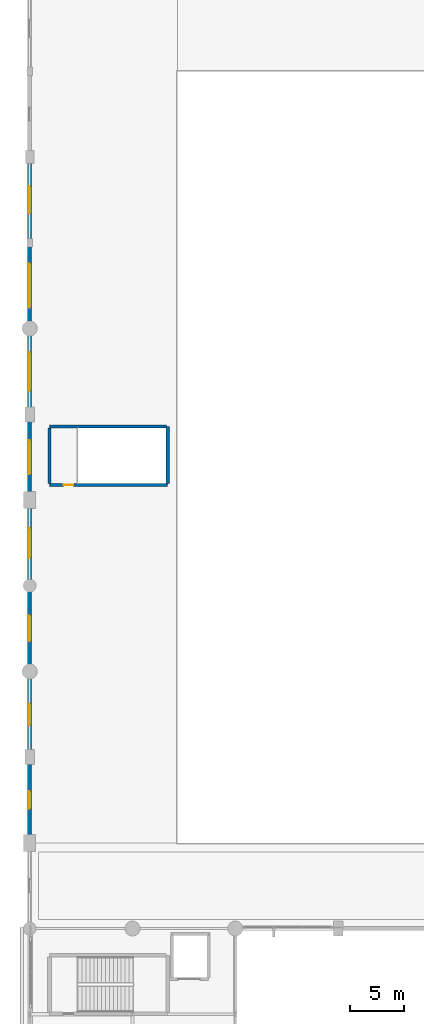
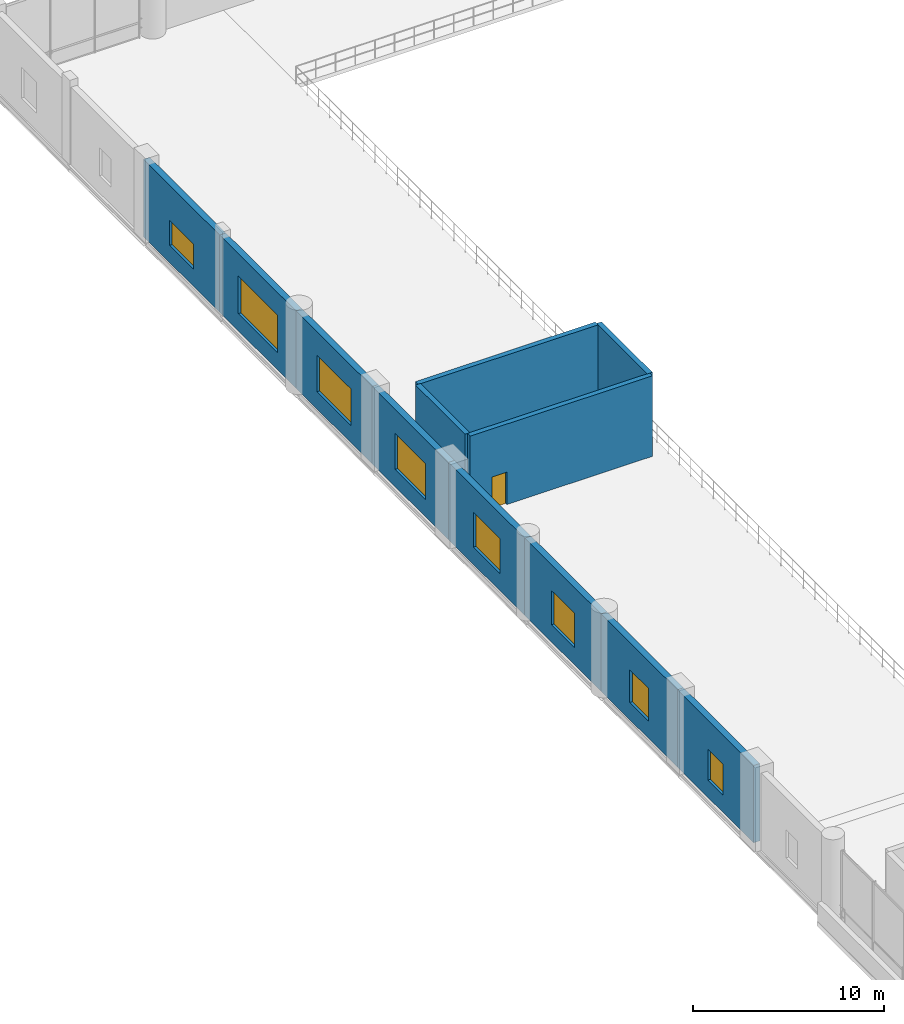
# One storey, part 79 of 129: 12 walls, 8 windows, 1 door, 9 openings.
"""IFC4 building model written with IfcOpenShell, lengths in metres."""

from ifc_helpers import new_model, si_unit, direction, frame, frame_2d, origin, place, context, subcontext, project, spatial, rectangle, extrude, material, layer, layer_set, type_object, element, fill, save


model = new_model("IFC4")

# Units and contexts
model_context = context("Model", 3, precision=1e-05, world=origin(), true_north=direction((0.0, 1.0)))
body_context = subcontext(model_context, "Body", "Model", "MODEL_VIEW")
ifc_project = project(units=[si_unit("LENGTHUNIT", "METRE"), si_unit("AREAUNIT", "SQUARE_METRE"), si_unit("VOLUMEUNIT", "CUBIC_METRE"), si_unit("PLANEANGLEUNIT", "RADIAN"), si_unit("MASSUNIT", "GRAM", prefix="KILO")], contexts=[model_context])

# Site, building, storey
site_placement = place(None, origin())
site = spatial("IfcSite", under=ifc_project, at=site_placement, CompositionType="ELEMENT")
building_placement = place(site_placement, origin())
building = spatial("IfcBuilding", under=site, at=building_placement, Name="Danafjord Basin Convention Centre", CompositionType="ELEMENT")
storey_placement = place(building_placement, frame((0.0, 0.0, 6.0)))
storey = spatial("IfcBuildingStorey", under=building, at=storey_placement, Name="L01", CompositionType="ELEMENT", Elevation=6.0)

# Wall, opening, door
ifc_material_1 = material(Name="Concrete C40/50", Category="concrete")
ifc_layer_1 = layer(ifc_material_1, 0.300048828125)
ifc_layer_set_1 = layer_set([ifc_layer_1], Name="Concrete C40/50")
wall_type_1 = type_object("IfcWallType", Name="WALL-CW-CORE300", PredefinedType="SHEAR", material=ifc_layer_set_1)
wall_1_placement = place(storey_placement, frame((1.85009765625, 97.39990234375, 0.0), z_axis=(0.0, 0.0, 1.0), x_axis=(1.0, 0.0, 0.0)))
wall_1 = element("IfcWall", 1, at=wall_1_placement, inside=storey, type_object=wall_type_1, Name="West Exhibition Perimeter Stair core shear wall (south)", PredefinedType="SHEAR", context=body_context, shape_type="SweptSolid", body=[
    extrude(rectangle(XDim=11.039794921875, YDim=0.300048828125, at=frame_2d((5.52001953125, 0.0))), origin(), (0.0, 0.0, 1.0), 5.155029296875),
])
opening_1_placement = place(wall_1_placement, frame((1.31201171875, 0.0, 0.0)))
opening_1 = element("IfcOpeningElement", 2, at=opening_1_placement, cuts=wall_1, Name="Opening FD-S01", PredefinedType="OPENING", context=body_context, shape_type="SweptSolid", body=[
    extrude(rectangle(XDim=0.909912109375, YDim=2.080078125, at=frame_2d((0.455078125, 1.0400390625))), frame((0.0, 0.159912109375, 0.0), z_axis=(0.0, -1.0, 0.0), x_axis=(1.0, 0.0, 0.0)), (0.0, 0.0, 1.0), 0.320068359375),
])
ifc_material_2 = material(Name="Powder-coated steel and Nordic oak", Category="steel")
door_type = type_object("IfcDoorType", Name="DOOR-FD-S01", OperationType="NOTDEFINED", PredefinedType="DOOR", material=ifc_material_2)
door_placement = place(opening_1_placement, origin())
door = element("IfcDoor", 3, at=door_placement, inside=storey, type_object=door_type, Name="West Exhibition Perimeter Stair L01 Fire Exit Door", OperationType="SINGLE_SWING_LEFT", OverallHeight=2.080078125, OverallWidth=0.909912109375, PredefinedType="DOOR", context=body_context, shape_type="SweptSolid", body=[
    extrude(rectangle(XDim=0.909912109375, YDim=2.080078125, at=frame_2d((0.455078125, 1.0400390625))), frame((0.0, 0.02490234375, 0.0), z_axis=(0.0, -1.0, 0.0), x_axis=(1.0, 0.0, 0.0)), (0.0, 0.0, 1.0), 0.050048828125),
])
fill(opening_1, door)

# Walls
wall_2_placement = place(storey_placement, frame((12.889892578125, 97.534912109375, 0.0), z_axis=(0.0, 0.0, 1.0), x_axis=(0.0, 1.0, 0.0)))
element("IfcWall", 4, at=wall_2_placement, inside=storey, type_object=wall_type_1, Name="West Exhibition Perimeter Stair core shear wall (east)", PredefinedType="SHEAR", context=body_context, shape_type="SweptSolid", body=[
    extrude(rectangle(XDim=5.3251953125, YDim=0.300048828125, at=frame_2d((2.66259765625, 0.0))), origin(), (0.0, 0.0, 1.0), 5.155029296875),
])
wall_3_placement = place(storey_placement, frame((12.7548828125, 102.860107421875, 0.0), z_axis=(0.0, 0.0, 1.0), x_axis=(-1.0, 0.0, 0.0)))
element("IfcWall", 5, at=wall_3_placement, inside=storey, type_object=wall_type_1, Name="West Exhibition Perimeter Stair core shear wall (north)", PredefinedType="SHEAR", context=body_context, shape_type="SweptSolid", body=[
    extrude(rectangle(XDim=10.90478515625, YDim=0.300048828125, at=frame_2d((5.452392578125, 0.0))), origin(), (0.0, 0.0, 1.0), 5.155029296875),
])
wall_4_placement = place(storey_placement, frame((1.85009765625, 102.72509765625, 0.0), z_axis=(0.0, 0.0, 1.0), x_axis=(0.0, -1.0, 0.0)))
element("IfcWall", 6, at=wall_4_placement, inside=storey, type_object=wall_type_1, Name="West Exhibition Perimeter Stair core shear wall (west)", PredefinedType="SHEAR", context=body_context, shape_type="SweptSolid", body=[
    extrude(rectangle(XDim=5.190185546875, YDim=0.300048828125, at=frame_2d((2.59521484375, 0.0))), origin(), (0.0, 0.0, 1.0), 5.155029296875),
])

# Wall, opening, window
ifc_material_3 = material(Name="Precast concrete C45/55", Category="concrete")
ifc_layer_2 = layer(ifc_material_3, 0.3798828125)
ifc_layer_set_2 = layer_set([ifc_layer_2], Name="Precast concrete C45/55")
wall_type_2 = type_object("IfcWallType", Name="WALL-EW-PC380", PredefinedType="SOLIDWALL", material=ifc_layer_set_2)
wall_5_placement = place(storey_placement, frame((0.0, 64.0, 0.0), z_axis=(0.0, 0.0, 1.0), x_axis=(0.0, 1.0, 0.0)))
wall_5 = element("IfcWall", 7, at=wall_5_placement, inside=storey, type_object=wall_type_2, Name="Exhibition hall W upper precast wall", PredefinedType="SOLIDWALL", context=body_context, shape_type="SweptSolid", body=[
    extrude(rectangle(XDim=8.0, YDim=0.3798828125, at=frame_2d((4.0, 0.0))), origin(), (0.0, 0.0, 1.0), 4.949951171875),
])
opening_2_placement = place(wall_5_placement, frame((3.199951171875, 0.0, 1.10009765625)))
opening_2 = element("IfcOpeningElement", 8, at=opening_2_placement, cuts=wall_5, Name="Opening WN-03", PredefinedType="OPENING", context=body_context, shape_type="SweptSolid", body=[
    extrude(rectangle(XDim=1.60009765625, YDim=2.0, at=frame_2d((0.800048828125, 1.0))), frame((0.0, 0.199951171875, 0.0), z_axis=(0.0, -1.0, 0.0), x_axis=(1.0, 0.0, 0.0)), (0.0, 0.0, 1.0), 0.39990234375),
])
ifc_material_4 = material(Name="Thermally broken aluminium and triple low-E glass", Category="aluminium")
window_type_1 = type_object("IfcWindowType", Name="WIN-WN-03", PartitioningType="SINGLE_PANEL", PredefinedType="WINDOW", material=ifc_material_4)
window_1_placement = place(opening_2_placement, origin())
window_1 = element("IfcWindow", 9, at=window_1_placement, inside=storey, type_object=window_type_1, Name="L01 hall window WN-03", OverallHeight=2.0, OverallWidth=1.60009765625, PartitioningType="SINGLE_PANEL", PredefinedType="WINDOW", context=body_context, shape_type="SweptSolid", body=[
    extrude(rectangle(XDim=1.60009765625, YDim=2.0, at=frame_2d((0.800048828125, 1.0))), frame((0.0, 0.030029296875, 0.0), z_axis=(0.0, -1.0, 0.0), x_axis=(1.0, 0.0, 0.0)), (0.0, 0.0, 1.0), 0.06005859375),
])
fill(opening_2, window_1)

wall_6_placement = place(storey_placement, frame((0.0, 72.0, 0.0), z_axis=(0.0, 0.0, 1.0), x_axis=(0.0, 1.0, 0.0)))
wall_6 = element("IfcWall", 10, at=wall_6_placement, inside=storey, type_object=wall_type_2, Name="Exhibition hall W upper precast wall", PredefinedType="SOLIDWALL", context=body_context, shape_type="SweptSolid", body=[
    extrude(rectangle(XDim=8.0, YDim=0.3798828125, at=frame_2d((4.0, 0.0))), origin(), (0.0, 0.0, 1.0), 4.949951171875),
])
opening_3_placement = place(wall_6_placement, frame((3.0, 0.0, 1.10009765625)))
opening_3 = element("IfcOpeningElement", 11, at=opening_3_placement, cuts=wall_6, Name="Opening WN-05", PredefinedType="OPENING", context=body_context, shape_type="SweptSolid", body=[
    extrude(rectangle(XDim=2.0, YDim=2.10009765625, at=frame_2d((1.0, 1.050048828125))), frame((0.0, 0.199951171875, 0.0), z_axis=(0.0, -1.0, 0.0), x_axis=(1.0, 0.0, 0.0)), (0.0, 0.0, 1.0), 0.39990234375),
])
window_type_2 = type_object("IfcWindowType", Name="WIN-WN-05", PartitioningType="SINGLE_PANEL", PredefinedType="WINDOW", material=ifc_material_4)
window_2_placement = place(opening_3_placement, origin())
window_2 = element("IfcWindow", 12, at=window_2_placement, inside=storey, type_object=window_type_2, Name="L01 hall window WN-05", OverallHeight=2.10009765625, OverallWidth=2.0, PartitioningType="SINGLE_PANEL", PredefinedType="WINDOW", context=body_context, shape_type="SweptSolid", body=[
    extrude(rectangle(XDim=2.0, YDim=2.10009765625, at=frame_2d((1.0, 1.050048828125))), frame((0.0, 0.030029296875, 0.0), z_axis=(0.0, -1.0, 0.0), x_axis=(1.0, 0.0, 0.0)), (0.0, 0.0, 1.0), 0.06005859375),
])
fill(opening_3, window_2)

wall_7_placement = place(storey_placement, frame((0.0, 80.0, 0.0), z_axis=(0.0, 0.0, 1.0), x_axis=(0.0, 1.0, 0.0)))
wall_7 = element("IfcWall", 13, at=wall_7_placement, inside=storey, type_object=wall_type_2, Name="Exhibition hall W upper precast wall", PredefinedType="SOLIDWALL", context=body_context, shape_type="SweptSolid", body=[
    extrude(rectangle(XDim=8.0, YDim=0.3798828125, at=frame_2d((4.0, 0.0))), origin(), (0.0, 0.0, 1.0), 4.949951171875),
])
opening_4_placement = place(wall_7_placement, frame((2.800048828125, 0.0, 1.10009765625)))
opening_4 = element("IfcOpeningElement", 14, at=opening_4_placement, cuts=wall_7, Name="Opening WN-07", PredefinedType="OPENING", context=body_context, shape_type="SweptSolid", body=[
    extrude(rectangle(XDim=2.39990234375, YDim=2.199951171875, at=frame_2d((1.199951171875, 1.10009765625))), frame((0.0, 0.199951171875, 0.0), z_axis=(0.0, -1.0, 0.0), x_axis=(1.0, 0.0, 0.0)), (0.0, 0.0, 1.0), 0.39990234375),
])
window_type_3 = type_object("IfcWindowType", Name="WIN-WN-07", PartitioningType="SINGLE_PANEL", PredefinedType="WINDOW", material=ifc_material_4)
window_3_placement = place(opening_4_placement, origin())
window_3 = element("IfcWindow", 15, at=window_3_placement, inside=storey, type_object=window_type_3, Name="L01 hall window WN-07", OverallHeight=2.199951171875, OverallWidth=2.39990234375, PartitioningType="SINGLE_PANEL", PredefinedType="WINDOW", context=body_context, shape_type="SweptSolid", body=[
    extrude(rectangle(XDim=2.39990234375, YDim=2.199951171875, at=frame_2d((1.199951171875, 1.10009765625))), frame((0.0, 0.030029296875, 0.0), z_axis=(0.0, -1.0, 0.0), x_axis=(1.0, 0.0, 0.0)), (0.0, 0.0, 1.0), 0.06005859375),
])
fill(opening_4, window_3)

wall_8_placement = place(storey_placement, frame((0.0, 88.0, 0.0), z_axis=(0.0, 0.0, 1.0), x_axis=(0.0, 1.0, 0.0)))
wall_8 = element("IfcWall", 16, at=wall_8_placement, inside=storey, type_object=wall_type_2, Name="Exhibition hall W upper precast wall", PredefinedType="SOLIDWALL", context=body_context, shape_type="SweptSolid", body=[
    extrude(rectangle(XDim=8.0, YDim=0.3798828125, at=frame_2d((4.0, 0.0))), origin(), (0.0, 0.0, 1.0), 4.949951171875),
])
opening_5_placement = place(wall_8_placement, frame((2.60009765625, 0.0, 1.10009765625)))
opening_5 = element("IfcOpeningElement", 17, at=opening_5_placement, cuts=wall_8, Name="Opening WN-09", PredefinedType="OPENING", context=body_context, shape_type="SweptSolid", body=[
    extrude(rectangle(XDim=2.800048828125, YDim=2.25, at=frame_2d((1.39990234375, 1.125))), frame((0.0, 0.199951171875, 0.0), z_axis=(0.0, -1.0, 0.0), x_axis=(1.0, 0.0, 0.0)), (0.0, 0.0, 1.0), 0.39990234375),
])
window_type_4 = type_object("IfcWindowType", Name="WIN-WN-09", PartitioningType="SINGLE_PANEL", PredefinedType="WINDOW", material=ifc_material_4)
window_4_placement = place(opening_5_placement, origin())
window_4 = element("IfcWindow", 18, at=window_4_placement, inside=storey, type_object=window_type_4, Name="L01 hall window WN-09", OverallHeight=2.25, OverallWidth=2.800048828125, PartitioningType="SINGLE_PANEL", PredefinedType="WINDOW", context=body_context, shape_type="SweptSolid", body=[
    extrude(rectangle(XDim=2.800048828125, YDim=2.25, at=frame_2d((1.39990234375, 1.125))), frame((0.0, 0.030029296875, 0.0), z_axis=(0.0, -1.0, 0.0), x_axis=(1.0, 0.0, 0.0)), (0.0, 0.0, 1.0), 0.06005859375),
])
fill(opening_5, window_4)

wall_9_placement = place(storey_placement, frame((0.0, 96.0, 0.0), z_axis=(0.0, 0.0, 1.0), x_axis=(0.0, 1.0, 0.0)))
wall_9 = element("IfcWall", 19, at=wall_9_placement, inside=storey, type_object=wall_type_2, Name="Exhibition hall W upper precast wall", PredefinedType="SOLIDWALL", context=body_context, shape_type="SweptSolid", body=[
    extrude(rectangle(XDim=8.0, YDim=0.3798828125, at=frame_2d((4.0, 0.0))), origin(), (0.0, 0.0, 1.0), 4.949951171875),
])
opening_6_placement = place(wall_9_placement, frame((2.39990234375, 0.0, 1.10009765625)))
opening_6 = element("IfcOpeningElement", 20, at=opening_6_placement, cuts=wall_9, Name="Opening WN-11", PredefinedType="OPENING", context=body_context, shape_type="SweptSolid", body=[
    extrude(rectangle(XDim=3.199951171875, YDim=2.300048828125, at=frame_2d((1.60009765625, 1.14990234375))), frame((0.0, 0.199951171875, 0.0), z_axis=(0.0, -1.0, 0.0), x_axis=(1.0, 0.0, 0.0)), (0.0, 0.0, 1.0), 0.39990234375),
])
window_type_5 = type_object("IfcWindowType", Name="WIN-WN-11", PartitioningType="SINGLE_PANEL", PredefinedType="WINDOW", material=ifc_material_4)
window_5_placement = place(opening_6_placement, origin())
window_5 = element("IfcWindow", 21, at=window_5_placement, inside=storey, type_object=window_type_5, Name="L01 hall window WN-11", OverallHeight=2.300048828125, OverallWidth=3.199951171875, PartitioningType="SINGLE_PANEL", PredefinedType="WINDOW", context=body_context, shape_type="SweptSolid", body=[
    extrude(rectangle(XDim=3.199951171875, YDim=2.300048828125, at=frame_2d((1.60009765625, 1.14990234375))), frame((0.0, 0.030029296875, 0.0), z_axis=(0.0, -1.0, 0.0), x_axis=(1.0, 0.0, 0.0)), (0.0, 0.0, 1.0), 0.06005859375),
])
fill(opening_6, window_5)

wall_10_placement = place(storey_placement, frame((0.0, 104.0, 0.0), z_axis=(0.0, 0.0, 1.0), x_axis=(0.0, 1.0, 0.0)))
wall_10 = element("IfcWall", 22, at=wall_10_placement, inside=storey, type_object=wall_type_2, Name="Exhibition hall W upper precast wall", PredefinedType="SOLIDWALL", context=body_context, shape_type="SweptSolid", body=[
    extrude(rectangle(XDim=8.0, YDim=0.3798828125, at=frame_2d((4.0, 0.0))), origin(), (0.0, 0.0, 1.0), 4.949951171875),
])
opening_7_placement = place(wall_10_placement, frame((2.199951171875, 0.0, 1.10009765625)))
opening_7 = element("IfcOpeningElement", 23, at=opening_7_placement, cuts=wall_10, Name="Opening WN-13", PredefinedType="OPENING", context=body_context, shape_type="SweptSolid", body=[
    extrude(rectangle(XDim=3.60009765625, YDim=2.35009765625, at=frame_2d((1.800048828125, 1.175048828125))), frame((0.0, 0.199951171875, 0.0), z_axis=(0.0, -1.0, 0.0), x_axis=(1.0, 0.0, 0.0)), (0.0, 0.0, 1.0), 0.39990234375),
])
window_type_6 = type_object("IfcWindowType", Name="WIN-WN-13", PartitioningType="SINGLE_PANEL", PredefinedType="WINDOW", material=ifc_material_4)
window_6_placement = place(opening_7_placement, origin())
window_6 = element("IfcWindow", 24, at=window_6_placement, inside=storey, type_object=window_type_6, Name="L01 hall window WN-13", OverallHeight=2.35009765625, OverallWidth=3.60009765625, PartitioningType="SINGLE_PANEL", PredefinedType="WINDOW", context=body_context, shape_type="SweptSolid", body=[
    extrude(rectangle(XDim=3.60009765625, YDim=2.35009765625, at=frame_2d((1.800048828125, 1.175048828125))), frame((0.0, 0.030029296875, 0.0), z_axis=(0.0, -1.0, 0.0), x_axis=(1.0, 0.0, 0.0)), (0.0, 0.0, 1.0), 0.06005859375),
])
fill(opening_7, window_6)

wall_11_placement = place(storey_placement, frame((0.0, 112.0, 0.0), z_axis=(0.0, 0.0, 1.0), x_axis=(0.0, 1.0, 0.0)))
wall_11 = element("IfcWall", 25, at=wall_11_placement, inside=storey, type_object=wall_type_2, Name="Exhibition hall W upper precast wall", PredefinedType="SOLIDWALL", context=body_context, shape_type="SweptSolid", body=[
    extrude(rectangle(XDim=8.0, YDim=0.3798828125, at=frame_2d((4.0, 0.0))), origin(), (0.0, 0.0, 1.0), 4.949951171875),
])
opening_8_placement = place(wall_11_placement, frame((1.949951171875, 0.0, 1.10009765625)))
opening_8 = element("IfcOpeningElement", 26, at=opening_8_placement, cuts=wall_11, Name="Opening WN-15", PredefinedType="OPENING", context=body_context, shape_type="SweptSolid", body=[
    extrude(rectangle(XDim=4.10009765625, YDim=2.39990234375, at=frame_2d((2.050048828125, 1.199951171875))), frame((0.0, 0.199951171875, 0.0), z_axis=(0.0, -1.0, 0.0), x_axis=(1.0, 0.0, 0.0)), (0.0, 0.0, 1.0), 0.39990234375),
])
window_type_7 = type_object("IfcWindowType", Name="WIN-WN-15", PartitioningType="SINGLE_PANEL", PredefinedType="WINDOW", material=ifc_material_4)
window_7_placement = place(opening_8_placement, origin())
window_7 = element("IfcWindow", 27, at=window_7_placement, inside=storey, type_object=window_type_7, Name="L01 hall window WN-15", OverallHeight=2.39990234375, OverallWidth=4.10009765625, PartitioningType="SINGLE_PANEL", PredefinedType="WINDOW", context=body_context, shape_type="SweptSolid", body=[
    extrude(rectangle(XDim=4.10009765625, YDim=2.39990234375, at=frame_2d((2.050048828125, 1.199951171875))), frame((0.0, 0.030029296875, 0.0), z_axis=(0.0, -1.0, 0.0), x_axis=(1.0, 0.0, 0.0)), (0.0, 0.0, 1.0), 0.06005859375),
])
fill(opening_8, window_7)

wall_12_placement = place(storey_placement, frame((0.0, 120.0, 0.0), z_axis=(0.0, 0.0, 1.0), x_axis=(0.0, 1.0, 0.0)))
wall_12 = element("IfcWall", 28, at=wall_12_placement, inside=storey, type_object=wall_type_2, Name="Exhibition hall W upper precast wall", PredefinedType="SOLIDWALL", context=body_context, shape_type="SweptSolid", body=[
    extrude(rectangle(XDim=8.0, YDim=0.3798828125, at=frame_2d((4.0, 0.0))), origin(), (0.0, 0.0, 1.0), 4.949951171875),
])
opening_9_placement = place(wall_12_placement, frame((2.75, 0.0, 1.10009765625)))
opening_9 = element("IfcOpeningElement", 29, at=opening_9_placement, cuts=wall_12, Name="Opening WN-17", PredefinedType="OPENING", context=body_context, shape_type="SweptSolid", body=[
    extrude(rectangle(XDim=2.5, YDim=1.60009765625, at=frame_2d((1.25, 0.800048828125))), frame((0.0, 0.199951171875, 0.0), z_axis=(0.0, -1.0, 0.0), x_axis=(1.0, 0.0, 0.0)), (0.0, 0.0, 1.0), 0.39990234375),
])
window_type_8 = type_object("IfcWindowType", Name="WIN-WN-17", PartitioningType="SINGLE_PANEL", PredefinedType="WINDOW", material=ifc_material_4)
window_8_placement = place(opening_9_placement, origin())
window_8 = element("IfcWindow", 30, at=window_8_placement, inside=storey, type_object=window_type_8, Name="L01 hall window WN-17", OverallHeight=1.60009765625, OverallWidth=2.5, PartitioningType="SINGLE_PANEL", PredefinedType="WINDOW", context=body_context, shape_type="SweptSolid", body=[
    extrude(rectangle(XDim=2.5, YDim=1.60009765625, at=frame_2d((1.25, 0.800048828125))), frame((0.0, 0.030029296875, 0.0), z_axis=(0.0, -1.0, 0.0), x_axis=(1.0, 0.0, 0.0)), (0.0, 0.0, 1.0), 0.06005859375),
])
fill(opening_9, window_8)

save(model, "model.ifc")
